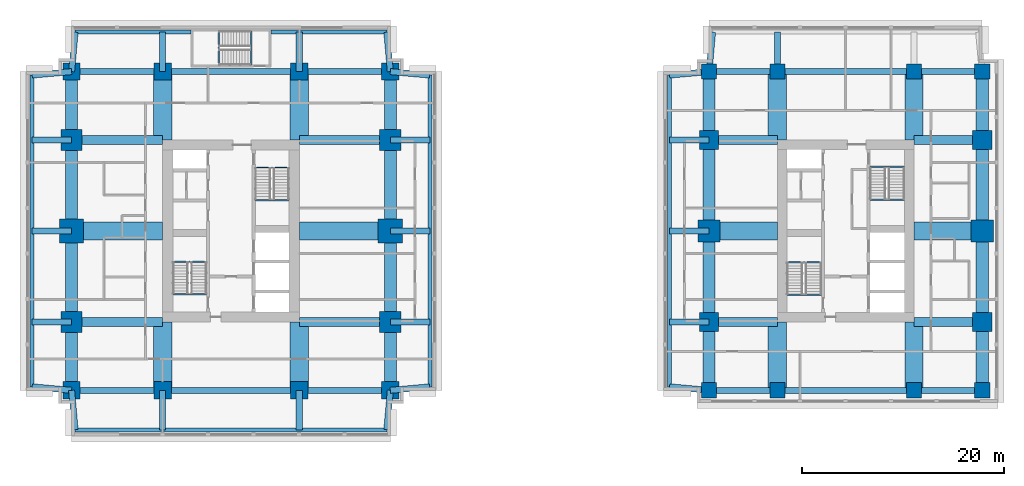
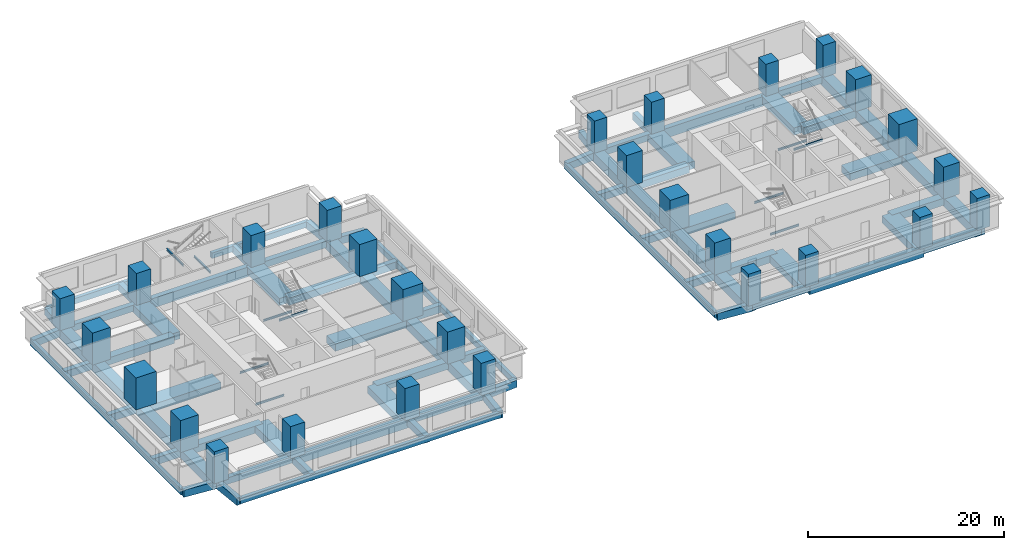
# One storey, part 1 of 10: 89 beams, 28 columns.
"""IFC4 building model written with IfcOpenShell, lengths in metres."""

from ifc_helpers import new_model, si_unit, direction, frame, origin, origin_2d, place, context, subcontext, project, spatial, rectangle, i_section, extrude, material, material_profile, profile_set, type_object, element, save


model = new_model("IFC4")

# Units and contexts
model_context = context("Model", 3, precision=1e-05, world=origin(), true_north=direction((0.0, 1.0)))
body_context = subcontext(model_context, "Body", "Model", "MODEL_VIEW")
ifc_project = project(units=[si_unit("LENGTHUNIT", "METRE"), si_unit("AREAUNIT", "SQUARE_METRE"), si_unit("VOLUMEUNIT", "CUBIC_METRE"), si_unit("PLANEANGLEUNIT", "RADIAN"), si_unit("MASSUNIT", "GRAM", prefix="KILO")], contexts=[model_context])

# Site, building, storey
site_placement = place(None, origin())
site = spatial("IfcSite", under=ifc_project, at=site_placement, CompositionType="ELEMENT")
building_placement = place(site_placement, origin())
building = spatial("IfcBuilding", under=site, at=building_placement, Name="Namib Vertical Campus", CompositionType="ELEMENT")
storey_placement = place(building_placement, frame((0.0, 0.0, 157.0)))
storey = spatial("IfcBuildingStorey", under=building, at=storey_placement, Name="L37", CompositionType="ELEMENT", Elevation=157.0)

# Columns
ifc_material_1 = material(Name="Concrete C60/75", Category="concrete")
ifc_material_profile_1 = material_profile(ifc_material_1, rectangle(XDim=1.5, YDim=1.5, at=origin_2d()))
ifc_profile_set_1 = profile_set([ifc_material_profile_1], Name="Concrete C60/75")
column_type_1 = type_object("IfcColumnType", Name="Column RC 1500x1500", PredefinedType="COLUMN", material=ifc_profile_set_1)
for number, where, z_axis, x_axis, name in (
    (1, (67.5, 4.5, 0.0), (0.0, 0.0, 1.0), (1.0, 0.0, 0.0), "Column C150 L37"),
    (2, (74.25, 4.5, 0.0), (0.0, 0.0, 1.0), (1.0, 0.0, 0.0), "Column C150 L37"),
    (3, (87.75, 4.5, 0.0), (0.0, 0.0, 1.0), (1.0, 0.0, 0.0), "Column C150 L37"),
    (4, (94.5, 4.5, 0.0), (0.0, 0.0, 1.0), (1.0, 0.0, 0.0), "Column C150 L37"),
    (5, (67.5, 36.0, 0.0), (0.0, 0.0, 1.0), (1.0, 0.0, 0.0), "Column C150 L37"),
    (6, (74.25, 36.0, 0.0), (0.0, 0.0, 1.0), (1.0, 0.0, 0.0), "Column C150 L37"),
    (7, (87.75, 36.0, 0.0), (0.0, 0.0, 1.0), (1.0, 0.0, 0.0), "Column C150 L37"),
    (8, (94.5, 36.0, 0.0), (0.0, 0.0, 1.0), (1.0, 0.0, 0.0), "Column C150 L37"),
):
    element("IfcColumn", number, at=place(storey_placement, frame(where, z_axis=z_axis, x_axis=x_axis)), inside=storey, type_object=column_type_1, Name=name, PredefinedType="COLUMN", context=body_context, shape_type="SweptSolid", body=[
        extrude(rectangle(XDim=1.5, YDim=1.5, at=origin_2d()), origin(), (0.0, 0.0, 1.0), 4.0),
    ])
ifc_material_2 = material(Name="Concrete C60/75", Category="concrete")
ifc_material_profile_2 = material_profile(ifc_material_2, rectangle(XDim=1.699951171875, YDim=1.699951171875, at=origin_2d()))
ifc_profile_set_2 = profile_set([ifc_material_profile_2], Name="Concrete C60/75")
column_type_2 = type_object("IfcColumnType", Name="Column RC 1700x1700", PredefinedType="COLUMN", material=ifc_profile_set_2)
for number, where, z_axis, x_axis, name in (
    (9, (4.5, 4.5, 0.0), (0.0, 0.0, 1.0), (1.0, 0.0, 0.0), "Column C170 L37"),
    (10, (13.5, 4.5, 0.0), (0.0, 0.0, 1.0), (1.0, 0.0, 0.0), "Column C170 L37"),
    (11, (27.0, 4.5, 0.0), (0.0, 0.0, 1.0), (1.0, 0.0, 0.0), "Column C170 L37"),
    (12, (36.0, 4.5, 0.0), (0.0, 0.0, 1.0), (1.0, 0.0, 0.0), "Column C170 L37"),
    (13, (4.5, 36.0, 0.0), (0.0, 0.0, 1.0), (1.0, 0.0, 0.0), "Column C170 L37"),
    (14, (13.5, 36.0, 0.0), (0.0, 0.0, 1.0), (1.0, 0.0, 0.0), "Column C170 L37"),
    (15, (27.0, 36.0, 0.0), (0.0, 0.0, 1.0), (1.0, 0.0, 0.0), "Column C170 L37"),
    (16, (36.0, 36.0, 0.0), (0.0, 0.0, 1.0), (1.0, 0.0, 0.0), "Column C170 L37"),
):
    element("IfcColumn", number, at=place(storey_placement, frame(where, z_axis=z_axis, x_axis=x_axis)), inside=storey, type_object=column_type_2, Name=name, PredefinedType="COLUMN", context=body_context, shape_type="SweptSolid", body=[
        extrude(rectangle(XDim=1.699951171875, YDim=1.699951171875, at=origin_2d()), origin(), (0.0, 0.0, 1.0), 4.0),
    ])
ifc_material_3 = material(Name="Concrete C60/75", Category="concrete")
ifc_material_profile_3 = material_profile(ifc_material_3, rectangle(XDim=1.89990234375, YDim=1.89990234375, at=origin_2d()))
ifc_profile_set_3 = profile_set([ifc_material_profile_3], Name="Concrete C60/75")
column_type_3 = type_object("IfcColumnType", Name="Column RC 1900x1900", PredefinedType="COLUMN", material=ifc_profile_set_3)
for number, where, z_axis, x_axis, name in (
    (17, (67.5, 11.25, 0.0), (0.0, 0.0, 1.0), (1.0, 0.0, 0.0), "Column C190 L37"),
    (18, (94.5, 11.25, 0.0), (0.0, 0.0, 1.0), (1.0, 0.0, 0.0), "Column C190 L37"),
    (19, (67.5, 29.25, 0.0), (0.0, 0.0, 1.0), (1.0, 0.0, 0.0), "Column C190 L37"),
    (20, (94.5, 29.25, 0.0), (0.0, 0.0, 1.0), (1.0, 0.0, 0.0), "Column C190 L37"),
):
    element("IfcColumn", number, at=place(storey_placement, frame(where, z_axis=z_axis, x_axis=x_axis)), inside=storey, type_object=column_type_3, Name=name, PredefinedType="COLUMN", context=body_context, shape_type="SweptSolid", body=[
        extrude(rectangle(XDim=1.89990234375, YDim=1.89990234375, at=origin_2d()), origin(), (0.0, 0.0, 1.0), 4.0),
    ])
ifc_material_4 = material(Name="Concrete C60/75", Category="concrete")
ifc_material_profile_4 = material_profile(ifc_material_4, rectangle(XDim=2.10009765625, YDim=2.10009765625, at=origin_2d()))
ifc_profile_set_4 = profile_set([ifc_material_profile_4], Name="Concrete C60/75")
column_type_4 = type_object("IfcColumnType", Name="Column RC 2100x2100", PredefinedType="COLUMN", material=ifc_profile_set_4)
for number, where, z_axis, x_axis, name in (
    (21, (4.5, 11.25, 0.0), (0.0, 0.0, 1.0), (1.0, 0.0, 0.0), "Column C210 L37"),
    (22, (36.0, 11.25, 0.0), (0.0, 0.0, 1.0), (1.0, 0.0, 0.0), "Column C210 L37"),
    (23, (4.5, 29.25, 0.0), (0.0, 0.0, 1.0), (1.0, 0.0, 0.0), "Column C210 L37"),
    (24, (36.0, 29.25, 0.0), (0.0, 0.0, 1.0), (1.0, 0.0, 0.0), "Column C210 L37"),
):
    element("IfcColumn", number, at=place(storey_placement, frame(where, z_axis=z_axis, x_axis=x_axis)), inside=storey, type_object=column_type_4, Name=name, PredefinedType="COLUMN", context=body_context, shape_type="SweptSolid", body=[
        extrude(rectangle(XDim=2.10009765625, YDim=2.10009765625, at=origin_2d()), origin(), (0.0, 0.0, 1.0), 4.0),
    ])
ifc_material_5 = material(Name="Concrete C60/75", Category="concrete")
ifc_material_profile_5 = material_profile(ifc_material_5, rectangle(XDim=2.199951171875, YDim=2.199951171875, at=origin_2d()))
ifc_profile_set_5 = profile_set([ifc_material_profile_5], Name="Concrete C60/75")
column_type_5 = type_object("IfcColumnType", Name="Column RC 2200x2200", PredefinedType="COLUMN", material=ifc_profile_set_5)
for number, where, z_axis, x_axis, name in (
    (25, (67.5, 20.25, 0.0), (0.0, 0.0, 1.0), (1.0, 0.0, 0.0), "Column C220 L37"),
    (26, (94.5, 20.25, 0.0), (0.0, 0.0, 1.0), (1.0, 0.0, 0.0), "Column C220 L37"),
):
    element("IfcColumn", number, at=place(storey_placement, frame(where, z_axis=z_axis, x_axis=x_axis)), inside=storey, type_object=column_type_5, Name=name, PredefinedType="COLUMN", context=body_context, shape_type="SweptSolid", body=[
        extrude(rectangle(XDim=2.199951171875, YDim=2.199951171875, at=origin_2d()), origin(), (0.0, 0.0, 1.0), 4.0),
    ])
ifc_material_6 = material(Name="Concrete C60/75", Category="concrete")
ifc_material_profile_6 = material_profile(ifc_material_6, rectangle(XDim=2.39990234375, YDim=2.39990234375, at=origin_2d()))
ifc_profile_set_6 = profile_set([ifc_material_profile_6], Name="Concrete C60/75")
column_type_6 = type_object("IfcColumnType", Name="Column RC 2400x2400", PredefinedType="COLUMN", material=ifc_profile_set_6)
for number, where, z_axis, x_axis, name in (
    (27, (4.5, 20.25, 0.0), (0.0, 0.0, 1.0), (1.0, 0.0, 0.0), "Column C240 L37"),
    (28, (36.0, 20.25, 0.0), (0.0, 0.0, 1.0), (1.0, 0.0, 0.0), "Column C240 L37"),
):
    element("IfcColumn", number, at=place(storey_placement, frame(where, z_axis=z_axis, x_axis=x_axis)), inside=storey, type_object=column_type_6, Name=name, PredefinedType="COLUMN", context=body_context, shape_type="SweptSolid", body=[
        extrude(rectangle(XDim=2.39990234375, YDim=2.39990234375, at=origin_2d()), origin(), (0.0, 0.0, 1.0), 4.0),
    ])

# Beams
ifc_material_7 = material(Name="Concrete C40/50", Category="concrete")
ifc_material_profile_7 = material_profile(ifc_material_7, rectangle(XDim=0.60009765625, YDim=0.89990234375, at=origin_2d()))
ifc_profile_set_7 = profile_set([ifc_material_profile_7], Name="Concrete C40/50")
beam_type_1 = type_object("IfcBeamType", Name="Cantilever girder RC 600x900", PredefinedType="BEAM", material=ifc_profile_set_7)
beam_1_placement = place(storey_placement, frame((4.5, 4.5, -0.699951171875), z_axis=(0.089411326146, -0.995994786511, 0.0), x_axis=(0.995994786511, 0.089411326146, 0.0)))
element("IfcBeam", 29, at=beam_1_placement, inside=storey, type_object=beam_type_1, Name="Beam B3 L37", PredefinedType="BEAM", context=body_context, shape_type="SweptSolid", body=[
    extrude(rectangle(XDim=0.60009765625, YDim=0.89990234375, at=origin_2d()), origin(), (0.0, 0.0, 1.0), 3.91552734375),
])
for number, where, z_axis, x_axis, name in (
    (30, (13.5, 4.5, -0.699951171875), (0.0, -1.0, 0.0), (1.0, 0.0, 0.0), "Beam B3 L37"),
    (31, (27.0, 4.5, -0.699951171875), (0.0, -1.0, 0.0), (1.0, 0.0, 0.0), "Beam B3 L37"),
):
    element("IfcBeam", number, at=place(storey_placement, frame(where, z_axis=z_axis, x_axis=x_axis)), inside=storey, type_object=beam_type_1, Name=name, PredefinedType="BEAM", context=body_context, shape_type="SweptSolid", body=[
        extrude(rectangle(XDim=0.60009765625, YDim=0.89990234375, at=origin_2d()), origin(), (0.0, 0.0, 1.0), 3.89990234375),
    ])
for number, where, z_axis, x_axis, name in (
    (32, (36.0, 4.5, -0.699951171875), (-0.089411326146, -0.995994786511, 0.0), (0.995994786511, -0.089411326146, 0.0), "Beam B3 L37"),
    (33, (4.5, 36.0, -0.699951171875), (0.089411326146, 0.995994786511, 0.0), (-0.995994786511, 0.089411326146, 0.0), "Beam B3 L37"),
):
    element("IfcBeam", number, at=place(storey_placement, frame(where, z_axis=z_axis, x_axis=x_axis)), inside=storey, type_object=beam_type_1, Name=name, PredefinedType="BEAM", context=body_context, shape_type="SweptSolid", body=[
        extrude(rectangle(XDim=0.60009765625, YDim=0.89990234375, at=origin_2d()), origin(), (0.0, 0.0, 1.0), 3.91552734375),
    ])
for number, where, z_axis, x_axis, name in (
    (34, (13.5, 36.0, -0.699951171875), (0.0, 1.0, 0.0), (-1.0, 0.0, 0.0), "Beam B3 L37"),
    (35, (27.0, 36.0, -0.699951171875), (0.0, 1.0, 0.0), (-1.0, 0.0, 0.0), "Beam B3 L37"),
):
    element("IfcBeam", number, at=place(storey_placement, frame(where, z_axis=z_axis, x_axis=x_axis)), inside=storey, type_object=beam_type_1, Name=name, PredefinedType="BEAM", context=body_context, shape_type="SweptSolid", body=[
        extrude(rectangle(XDim=0.60009765625, YDim=0.89990234375, at=origin_2d()), origin(), (0.0, 0.0, 1.0), 3.89990234375),
    ])
for number, where, z_axis, x_axis, name in (
    (36, (36.0, 36.0, -0.699951171875), (-0.089411326146, 0.995994786511, 0.0), (-0.995994786511, -0.089411326146, 0.0), "Beam B3 L37"),
    (37, (4.5, 4.5, -0.699951171875), (-0.995994786511, 0.089411326146, 0.0), (-0.089411326146, -0.995994786511, 0.0), "Beam B3 L37"),
):
    element("IfcBeam", number, at=place(storey_placement, frame(where, z_axis=z_axis, x_axis=x_axis)), inside=storey, type_object=beam_type_1, Name=name, PredefinedType="BEAM", context=body_context, shape_type="SweptSolid", body=[
        extrude(rectangle(XDim=0.60009765625, YDim=0.89990234375, at=origin_2d()), origin(), (0.0, 0.0, 1.0), 3.91552734375),
    ])
for number, where, z_axis, x_axis, name in (
    (38, (4.5, 11.25, -0.699951171875), (-1.0, 0.0, 0.0), (0.0, -1.0, 0.0), "Beam B3 L37"),
    (39, (4.5, 20.25, -0.699951171875), (-1.0, 0.0, 0.0), (0.0, -1.0, 0.0), "Beam B3 L37"),
    (40, (4.5, 29.25, -0.699951171875), (-1.0, 0.0, 0.0), (0.0, -1.0, 0.0), "Beam B3 L37"),
):
    element("IfcBeam", number, at=place(storey_placement, frame(where, z_axis=z_axis, x_axis=x_axis)), inside=storey, type_object=beam_type_1, Name=name, PredefinedType="BEAM", context=body_context, shape_type="SweptSolid", body=[
        extrude(rectangle(XDim=0.60009765625, YDim=0.89990234375, at=origin_2d()), origin(), (0.0, 0.0, 1.0), 3.89990234375),
    ])
for number, where, z_axis, x_axis, name in (
    (41, (4.5, 36.0, -0.699951171875), (-0.995994786511, -0.089411326146, 0.0), (0.089411326146, -0.995994786511, 0.0), "Beam B3 L37"),
    (42, (36.0, 4.5, -0.699951171875), (0.995994786511, 0.089411326146, 0.0), (-0.089411326146, 0.995994786511, 0.0), "Beam B3 L37"),
):
    element("IfcBeam", number, at=place(storey_placement, frame(where, z_axis=z_axis, x_axis=x_axis)), inside=storey, type_object=beam_type_1, Name=name, PredefinedType="BEAM", context=body_context, shape_type="SweptSolid", body=[
        extrude(rectangle(XDim=0.60009765625, YDim=0.89990234375, at=origin_2d()), origin(), (0.0, 0.0, 1.0), 3.91552734375),
    ])
for number, where, z_axis, x_axis, name in (
    (43, (36.0, 11.25, -0.699951171875), (1.0, 0.0, 0.0), (0.0, 1.0, 0.0), "Beam B3 L37"),
    (44, (36.0, 20.25, -0.699951171875), (1.0, 0.0, 0.0), (0.0, 1.0, 0.0), "Beam B3 L37"),
    (45, (36.0, 29.25, -0.699951171875), (1.0, 0.0, 0.0), (0.0, 1.0, 0.0), "Beam B3 L37"),
):
    element("IfcBeam", number, at=place(storey_placement, frame(where, z_axis=z_axis, x_axis=x_axis)), inside=storey, type_object=beam_type_1, Name=name, PredefinedType="BEAM", context=body_context, shape_type="SweptSolid", body=[
        extrude(rectangle(XDim=0.60009765625, YDim=0.89990234375, at=origin_2d()), origin(), (0.0, 0.0, 1.0), 3.89990234375),
    ])
for number, where, z_axis, x_axis, name in (
    (46, (36.0, 36.0, -0.699951171875), (0.995994786511, -0.089411326146, 0.0), (0.089411326146, 0.995994786511, 0.0), "Beam B3 L37"),
    (47, (67.5, 36.0, -0.699951171875), (0.089411326146, 0.995994786511, 0.0), (-0.995994786511, 0.089411326146, 0.0), "Beam B3 L37"),
):
    element("IfcBeam", number, at=place(storey_placement, frame(where, z_axis=z_axis, x_axis=x_axis)), inside=storey, type_object=beam_type_1, Name=name, PredefinedType="BEAM", context=body_context, shape_type="SweptSolid", body=[
        extrude(rectangle(XDim=0.60009765625, YDim=0.89990234375, at=origin_2d()), origin(), (0.0, 0.0, 1.0), 3.91552734375),
    ])
beam_2_placement = place(storey_placement, frame((74.25, 36.0, -0.699951171875), z_axis=(0.0, 1.0, 0.0), x_axis=(-1.0, 0.0, 0.0)))
element("IfcBeam", 48, at=beam_2_placement, inside=storey, type_object=beam_type_1, Name="Beam B3 L37", PredefinedType="BEAM", context=body_context, shape_type="SweptSolid", body=[
    extrude(rectangle(XDim=0.60009765625, YDim=0.89990234375, at=origin_2d()), origin(), (0.0, 0.0, 1.0), 3.89990234375),
])
beam_3_placement = place(storey_placement, frame((67.5, 4.5, -0.699951171875), z_axis=(-0.995994786511, 0.089411326146, 0.0), x_axis=(-0.089411326146, -0.995994786511, 0.0)))
element("IfcBeam", 49, at=beam_3_placement, inside=storey, type_object=beam_type_1, Name="Beam B3 L37", PredefinedType="BEAM", context=body_context, shape_type="SweptSolid", body=[
    extrude(rectangle(XDim=0.60009765625, YDim=0.89990234375, at=origin_2d()), origin(), (0.0, 0.0, 1.0), 3.91552734375),
])
for number, where, z_axis, x_axis, name in (
    (50, (67.5, 11.25, -0.699951171875), (-1.0, 0.0, 0.0), (0.0, -1.0, 0.0), "Beam B3 L37"),
    (51, (67.5, 20.25, -0.699951171875), (-1.0, 0.0, 0.0), (0.0, -1.0, 0.0), "Beam B3 L37"),
    (52, (67.5, 29.25, -0.699951171875), (-1.0, 0.0, 0.0), (0.0, -1.0, 0.0), "Beam B3 L37"),
):
    element("IfcBeam", number, at=place(storey_placement, frame(where, z_axis=z_axis, x_axis=x_axis)), inside=storey, type_object=beam_type_1, Name=name, PredefinedType="BEAM", context=body_context, shape_type="SweptSolid", body=[
        extrude(rectangle(XDim=0.60009765625, YDim=0.89990234375, at=origin_2d()), origin(), (0.0, 0.0, 1.0), 3.89990234375),
    ])
beam_4_placement = place(storey_placement, frame((67.5, 36.0, -0.699951171875), z_axis=(-0.995994786511, -0.089411326146, 0.0), x_axis=(0.089411326146, -0.995994786511, 0.0)))
element("IfcBeam", 53, at=beam_4_placement, inside=storey, type_object=beam_type_1, Name="Beam B3 L37", PredefinedType="BEAM", context=body_context, shape_type="SweptSolid", body=[
    extrude(rectangle(XDim=0.60009765625, YDim=0.89990234375, at=origin_2d()), origin(), (0.0, 0.0, 1.0), 3.91552734375),
])
ifc_material_8 = material(Name="Concrete C40/50", Category="concrete")
ifc_material_profile_8 = material_profile(ifc_material_8, rectangle(XDim=0.39990234375, YDim=0.699951171875, at=origin_2d()))
ifc_profile_set_8 = profile_set([ifc_material_profile_8], Name="Concrete C40/50")
beam_type_2 = type_object("IfcBeamType", Name="Edge beam RC 400x700", PredefinedType="SPANDREL", material=ifc_profile_set_8)
beam_5_placement = place(storey_placement, frame((4.85009765625, 0.60009765625, -0.60009765625), z_axis=(1.0, 0.0, 0.0), x_axis=(0.0, 1.0, 0.0)))
element("IfcBeam", 54, at=beam_5_placement, inside=storey, type_object=beam_type_2, Name="Beam B4 L37", PredefinedType="SPANDREL", context=body_context, shape_type="SweptSolid", body=[
    extrude(rectangle(XDim=0.39990234375, YDim=0.699951171875, at=origin_2d()), origin(), (0.0, 0.0, 1.0), 30.7998046875),
])
for number, where, z_axis, x_axis, name in (
    (55, (4.85009765625, 39.89990234375, -0.60009765625), (1.0, 0.0, 0.0), (0.0, 1.0, 0.0), "Beam B4 L37"),
    (56, (24.199951171875, 39.89990234375, -0.60009765625), (1.0, 0.0, 0.0), (0.0, 1.0, 0.0), "Beam B4 L37"),
):
    element("IfcBeam", number, at=place(storey_placement, frame(where, z_axis=z_axis, x_axis=x_axis)), inside=storey, type_object=beam_type_2, Name=name, PredefinedType="SPANDREL", context=body_context, shape_type="SweptSolid", body=[
        extrude(rectangle(XDim=0.39990234375, YDim=0.699951171875, at=origin_2d()), origin(), (0.0, 0.0, 1.0), 11.449951171875),
    ])
for number, where, z_axis, x_axis, name in (
    (57, (0.60009765625, 4.85009765625, -0.60009765625), (0.0, 1.0, 0.0), (-1.0, 0.0, 0.0), "Beam B4 L37"),
    (58, (39.89990234375, 4.85009765625, -0.60009765625), (0.0, 1.0, 0.0), (-1.0, 0.0, 0.0), "Beam B4 L37"),
    (59, (63.60009765625, 4.85009765625, -0.60009765625), (0.0, 1.0, 0.0), (-1.0, 0.0, 0.0), "Beam B4 L37"),
):
    element("IfcBeam", number, at=place(storey_placement, frame(where, z_axis=z_axis, x_axis=x_axis)), inside=storey, type_object=beam_type_2, Name=name, PredefinedType="SPANDREL", context=body_context, shape_type="SweptSolid", body=[
        extrude(rectangle(XDim=0.39990234375, YDim=0.699951171875, at=origin_2d()), origin(), (0.0, 0.0, 1.0), 30.7998046875),
    ])
ifc_material_9 = material(Name="Concrete C40/50", Category="concrete")
ifc_material_profile_9 = material_profile(ifc_material_9, rectangle(XDim=0.89990234375, YDim=0.89990234375, at=origin_2d()))
ifc_profile_set_9 = profile_set([ifc_material_profile_9], Name="Concrete C40/50")
beam_type_3 = type_object("IfcBeamType", Name="Face girder RC 900x900", PredefinedType="BEAM", material=ifc_profile_set_9)
for number, where, z_axis, x_axis, name in (
    (60, (4.5, 11.25, -0.699951171875), (1.0, 0.0, 0.0), (0.0, 1.0, 0.0), "Beam B10 L37"),
    (61, (36.0, 11.25, -0.699951171875), (-1.0, 0.0, 0.0), (0.0, -1.0, 0.0), "Beam B10 L37"),
    (62, (4.5, 29.25, -0.699951171875), (1.0, 0.0, 0.0), (0.0, 1.0, 0.0), "Beam B10 L37"),
    (63, (36.0, 29.25, -0.699951171875), (-1.0, 0.0, 0.0), (0.0, -1.0, 0.0), "Beam B10 L37"),
):
    element("IfcBeam", number, at=place(storey_placement, frame(where, z_axis=z_axis, x_axis=x_axis)), inside=storey, type_object=beam_type_3, Name=name, PredefinedType="BEAM", context=body_context, shape_type="SweptSolid", body=[
        extrude(rectangle(XDim=0.89990234375, YDim=0.89990234375, at=origin_2d()), origin(), (0.0, 0.0, 1.0), 9.0),
    ])
for number, where, z_axis, x_axis, name in (
    (64, (67.5, 11.25, -0.699951171875), (1.0, 0.0, 0.0), (0.0, 1.0, 0.0), "Beam B10 L37"),
    (65, (94.5, 11.25, -0.699951171875), (-1.0, 0.0, 0.0), (0.0, -1.0, 0.0), "Beam B10 L37"),
    (66, (67.5, 29.25, -0.699951171875), (1.0, 0.0, 0.0), (0.0, 1.0, 0.0), "Beam B10 L37"),
    (67, (94.5, 29.25, -0.699951171875), (-1.0, 0.0, 0.0), (0.0, -1.0, 0.0), "Beam B10 L37"),
):
    element("IfcBeam", number, at=place(storey_placement, frame(where, z_axis=z_axis, x_axis=x_axis)), inside=storey, type_object=beam_type_3, Name=name, PredefinedType="BEAM", context=body_context, shape_type="SweptSolid", body=[
        extrude(rectangle(XDim=0.89990234375, YDim=0.89990234375, at=origin_2d()), origin(), (0.0, 0.0, 1.0), 6.75),
    ])
ifc_material_10 = material(Name="Concrete C40/50", Category="concrete")
ifc_material_profile_10 = material_profile(ifc_material_10, rectangle(XDim=1.199951171875, YDim=1.10009765625, at=origin_2d()))
ifc_profile_set_10 = profile_set([ifc_material_profile_10], Name="Concrete C40/50")
beam_type_4 = type_object("IfcBeamType", Name="Face ring beam RC 1200x1100", PredefinedType="BEAM", material=ifc_profile_set_10)
beam_6_placement = place(storey_placement, frame((4.5, 4.5, -0.800048828125), z_axis=(0.0, 1.0, 0.0), x_axis=(-1.0, 0.0, 0.0)))
element("IfcBeam", 68, at=beam_6_placement, inside=storey, type_object=beam_type_4, Name="Beam B11 L37", PredefinedType="BEAM", context=body_context, shape_type="SweptSolid", body=[
    extrude(rectangle(XDim=1.199951171875, YDim=1.10009765625, at=origin_2d()), origin(), (0.0, 0.0, 1.0), 6.75),
])
for number, where, z_axis, x_axis, name in (
    (69, (4.5, 11.25, -0.800048828125), (0.0, 1.0, 0.0), (-1.0, 0.0, 0.0), "Beam B11 L37"),
    (70, (4.5, 20.25, -0.800048828125), (0.0, 1.0, 0.0), (-1.0, 0.0, 0.0), "Beam B11 L37"),
):
    element("IfcBeam", number, at=place(storey_placement, frame(where, z_axis=z_axis, x_axis=x_axis)), inside=storey, type_object=beam_type_4, Name=name, PredefinedType="BEAM", context=body_context, shape_type="SweptSolid", body=[
        extrude(rectangle(XDim=1.199951171875, YDim=1.10009765625, at=origin_2d()), origin(), (0.0, 0.0, 1.0), 9.0),
    ])
for number, where, z_axis, x_axis, name in (
    (71, (4.5, 29.25, -0.800048828125), (0.0, 1.0, 0.0), (-1.0, 0.0, 0.0), "Beam B11 L37"),
    (72, (36.0, 4.5, -0.800048828125), (0.0, 1.0, 0.0), (-1.0, 0.0, 0.0), "Beam B11 L37"),
):
    element("IfcBeam", number, at=place(storey_placement, frame(where, z_axis=z_axis, x_axis=x_axis)), inside=storey, type_object=beam_type_4, Name=name, PredefinedType="BEAM", context=body_context, shape_type="SweptSolid", body=[
        extrude(rectangle(XDim=1.199951171875, YDim=1.10009765625, at=origin_2d()), origin(), (0.0, 0.0, 1.0), 6.75),
    ])
for number, where, z_axis, x_axis, name in (
    (73, (36.0, 11.25, -0.800048828125), (0.0, 1.0, 0.0), (-1.0, 0.0, 0.0), "Beam B11 L37"),
    (74, (36.0, 20.25, -0.800048828125), (0.0, 1.0, 0.0), (-1.0, 0.0, 0.0), "Beam B11 L37"),
):
    element("IfcBeam", number, at=place(storey_placement, frame(where, z_axis=z_axis, x_axis=x_axis)), inside=storey, type_object=beam_type_4, Name=name, PredefinedType="BEAM", context=body_context, shape_type="SweptSolid", body=[
        extrude(rectangle(XDim=1.199951171875, YDim=1.10009765625, at=origin_2d()), origin(), (0.0, 0.0, 1.0), 9.0),
    ])
for number, where, z_axis, x_axis, name in (
    (75, (36.0, 29.25, -0.800048828125), (0.0, 1.0, 0.0), (-1.0, 0.0, 0.0), "Beam B11 L37"),
    (76, (67.5, 4.5, -0.800048828125), (0.0, 1.0, 0.0), (-1.0, 0.0, 0.0), "Beam B11 L37"),
):
    element("IfcBeam", number, at=place(storey_placement, frame(where, z_axis=z_axis, x_axis=x_axis)), inside=storey, type_object=beam_type_4, Name=name, PredefinedType="BEAM", context=body_context, shape_type="SweptSolid", body=[
        extrude(rectangle(XDim=1.199951171875, YDim=1.10009765625, at=origin_2d()), origin(), (0.0, 0.0, 1.0), 6.75),
    ])
for number, where, z_axis, x_axis, name in (
    (77, (67.5, 11.25, -0.800048828125), (0.0, 1.0, 0.0), (-1.0, 0.0, 0.0), "Beam B11 L37"),
    (78, (67.5, 20.25, -0.800048828125), (0.0, 1.0, 0.0), (-1.0, 0.0, 0.0), "Beam B11 L37"),
):
    element("IfcBeam", number, at=place(storey_placement, frame(where, z_axis=z_axis, x_axis=x_axis)), inside=storey, type_object=beam_type_4, Name=name, PredefinedType="BEAM", context=body_context, shape_type="SweptSolid", body=[
        extrude(rectangle(XDim=1.199951171875, YDim=1.10009765625, at=origin_2d()), origin(), (0.0, 0.0, 1.0), 9.0),
    ])
for number, where, z_axis, x_axis, name in (
    (79, (67.5, 29.25, -0.800048828125), (0.0, 1.0, 0.0), (-1.0, 0.0, 0.0), "Beam B11 L37"),
    (80, (94.5, 4.5, -0.800048828125), (0.0, 1.0, 0.0), (-1.0, 0.0, 0.0), "Beam B11 L37"),
):
    element("IfcBeam", number, at=place(storey_placement, frame(where, z_axis=z_axis, x_axis=x_axis)), inside=storey, type_object=beam_type_4, Name=name, PredefinedType="BEAM", context=body_context, shape_type="SweptSolid", body=[
        extrude(rectangle(XDim=1.199951171875, YDim=1.10009765625, at=origin_2d()), origin(), (0.0, 0.0, 1.0), 6.75),
    ])
for number, where, z_axis, x_axis, name in (
    (81, (94.5, 11.25, -0.800048828125), (0.0, 1.0, 0.0), (-1.0, 0.0, 0.0), "Beam B11 L37"),
    (82, (94.5, 20.25, -0.800048828125), (0.0, 1.0, 0.0), (-1.0, 0.0, 0.0), "Beam B11 L37"),
):
    element("IfcBeam", number, at=place(storey_placement, frame(where, z_axis=z_axis, x_axis=x_axis)), inside=storey, type_object=beam_type_4, Name=name, PredefinedType="BEAM", context=body_context, shape_type="SweptSolid", body=[
        extrude(rectangle(XDim=1.199951171875, YDim=1.10009765625, at=origin_2d()), origin(), (0.0, 0.0, 1.0), 9.0),
    ])
beam_7_placement = place(storey_placement, frame((94.5, 29.25, -0.800048828125), z_axis=(0.0, 1.0, 0.0), x_axis=(-1.0, 0.0, 0.0)))
element("IfcBeam", 83, at=beam_7_placement, inside=storey, type_object=beam_type_4, Name="Beam B11 L37", PredefinedType="BEAM", context=body_context, shape_type="SweptSolid", body=[
    extrude(rectangle(XDim=1.199951171875, YDim=1.10009765625, at=origin_2d()), origin(), (0.0, 0.0, 1.0), 6.75),
])
ifc_material_11 = material(Name="Steel S355JR", Category="steel")
ifc_material_profile_11 = material_profile(ifc_material_11, i_section(OverallWidth=0.14599609375, OverallDepth=0.25146484375, WebThickness=0.006103515625, FlangeThickness=0.008544921875, FilletRadius=0.007568359375, at=origin_2d()))
ifc_profile_set_11 = profile_set([ifc_material_profile_11], Name="Steel S355JR")
beam_type_5 = type_object("IfcBeamType", Name="Landing trimmer UB 254x146x31", PredefinedType="BEAM", material=ifc_profile_set_11)
for number, where, z_axis, x_axis, name in (
    (84, (14.5, 13.97705078125, -0.125732421875), (1.0, 0.0, 0.0), (0.0, 1.0, 0.0), "Landing trimmer LT1 A-S1 L37 1"),
    (85, (14.5, 17.203125, 1.874267578125), (1.0, 0.0, 0.0), (0.0, 1.0, 0.0), "Landing trimmer LT1 A-S1 L37 2"),
    (86, (22.64990234375, 26.52294921875, -0.125732421875), (1.0, 0.0, 0.0), (0.0, 1.0, 0.0), "Landing trimmer LT1 A-S2 L37 1"),
    (87, (22.64990234375, 23.296875, 1.874267578125), (1.0, 0.0, 0.0), (0.0, 1.0, 0.0), "Landing trimmer LT1 A-S2 L37 2"),
):
    element("IfcBeam", number, at=place(storey_placement, frame(where, z_axis=z_axis, x_axis=x_axis)), inside=storey, type_object=beam_type_5, Name=name, PredefinedType="BEAM", context=body_context, shape_type="SweptSolid", body=[
        extrude(i_section(OverallWidth=0.14599609375, OverallDepth=0.25146484375, WebThickness=0.006103515625, FlangeThickness=0.008544921875, FilletRadius=0.007568359375, at=origin_2d()), origin(), (0.0, 0.0, 1.0), 3.35009765625),
    ])
for number, where, z_axis, x_axis, name in (
    (88, (75.199951171875, 13.927001953125, -0.125732421875), (1.0, 0.0, 0.0), (0.0, 1.0, 0.0), "Landing trimmer LT1 B-S1 L37 1"),
    (89, (75.199951171875, 17.153076171875, 1.874267578125), (1.0, 0.0, 0.0), (0.0, 1.0, 0.0), "Landing trimmer LT1 B-S1 L37 2"),
    (90, (83.39990234375, 26.572998046875, -0.125732421875), (1.0, 0.0, 0.0), (0.0, 1.0, 0.0), "Landing trimmer LT1 B-S2 L37 1"),
    (91, (83.39990234375, 23.346923828125, 1.874267578125), (1.0, 0.0, 0.0), (0.0, 1.0, 0.0), "Landing trimmer LT1 B-S2 L37 2"),
):
    element("IfcBeam", number, at=place(storey_placement, frame(where, z_axis=z_axis, x_axis=x_axis)), inside=storey, type_object=beam_type_5, Name=name, PredefinedType="BEAM", context=body_context, shape_type="SweptSolid", body=[
        extrude(i_section(OverallWidth=0.14599609375, OverallDepth=0.25146484375, WebThickness=0.006103515625, FlangeThickness=0.008544921875, FilletRadius=0.007568359375, at=origin_2d()), origin(), (0.0, 0.0, 1.0), 3.400146484375),
    ])
for number, where, z_axis, x_axis, name in (
    (92, (22.27294921875, 36.64990234375, -0.125732421875), (0.0, 1.0, 0.0), (-1.0, 0.0, 0.0), "Landing trimmer LT1 A-S3 L37 1"),
    (93, (19.046875, 36.64990234375, 1.874267578125), (0.0, 1.0, 0.0), (-1.0, 0.0, 0.0), "Landing trimmer LT1 A-S3 L37 2"),
):
    element("IfcBeam", number, at=place(storey_placement, frame(where, z_axis=z_axis, x_axis=x_axis)), inside=storey, type_object=beam_type_5, Name=name, PredefinedType="BEAM", context=body_context, shape_type="SweptSolid", body=[
        extrude(i_section(OverallWidth=0.14599609375, OverallDepth=0.25146484375, WebThickness=0.006103515625, FlangeThickness=0.008544921875, FilletRadius=0.007568359375, at=origin_2d()), origin(), (0.0, 0.0, 1.0), 3.35009765625),
    ])
ifc_material_12 = material(Name="Concrete C40/50", Category="concrete")
ifc_material_profile_12 = material_profile(ifc_material_12, rectangle(XDim=0.60009765625, YDim=1.199951171875, at=origin_2d()))
ifc_profile_set_12 = profile_set([ifc_material_profile_12], Name="Concrete C40/50")
beam_type_6 = type_object("IfcBeamType", Name="Long-span ring beam RC 600x1200", PredefinedType="BEAM", material=ifc_profile_set_12)
for number, where, z_axis, x_axis, name in (
    (94, (13.5, 4.5, -0.85009765625), (1.0, 0.0, 0.0), (0.0, 1.0, 0.0), "Beam B9 L37"),
    (95, (13.5, 36.0, -0.85009765625), (1.0, 0.0, 0.0), (0.0, 1.0, 0.0), "Beam B9 L37"),
    (96, (74.25, 4.5, -0.85009765625), (1.0, 0.0, 0.0), (0.0, 1.0, 0.0), "Beam B9 L37"),
    (97, (74.25, 36.0, -0.85009765625), (1.0, 0.0, 0.0), (0.0, 1.0, 0.0), "Beam B9 L37"),
):
    element("IfcBeam", number, at=place(storey_placement, frame(where, z_axis=z_axis, x_axis=x_axis)), inside=storey, type_object=beam_type_6, Name=name, PredefinedType="BEAM", context=body_context, shape_type="SweptSolid", body=[
        extrude(rectangle(XDim=0.60009765625, YDim=1.199951171875, at=origin_2d()), origin(), (0.0, 0.0, 1.0), 13.5),
    ])
ifc_material_13 = material(Name="Concrete C40/50", Category="concrete")
ifc_material_profile_13 = material_profile(ifc_material_13, rectangle(XDim=1.800048828125, YDim=0.89990234375, at=origin_2d()))
ifc_profile_set_13 = profile_set([ifc_material_profile_13], Name="Concrete C40/50")
beam_type_7 = type_object("IfcBeamType", Name="Outrigger line girder RC 1800x900", PredefinedType="BEAM", material=ifc_profile_set_13)
for number, where, z_axis, x_axis, name in (
    (98, (13.5, 4.5, -0.699951171875), (0.0, 1.0, 0.0), (-1.0, 0.0, 0.0), "Beam B12 L37"),
    (99, (13.5, 36.0, -0.699951171875), (0.0, -1.0, 0.0), (1.0, 0.0, 0.0), "Beam B12 L37"),
    (100, (27.0, 4.5, -0.699951171875), (0.0, 1.0, 0.0), (-1.0, 0.0, 0.0), "Beam B12 L37"),
    (101, (27.0, 36.0, -0.699951171875), (0.0, -1.0, 0.0), (1.0, 0.0, 0.0), "Beam B12 L37"),
):
    element("IfcBeam", number, at=place(storey_placement, frame(where, z_axis=z_axis, x_axis=x_axis)), inside=storey, type_object=beam_type_7, Name=name, PredefinedType="BEAM", context=body_context, shape_type="SweptSolid", body=[
        extrude(rectangle(XDim=1.800048828125, YDim=0.89990234375, at=origin_2d()), origin(), (0.0, 0.0, 1.0), 6.75),
    ])
for number, where, z_axis, x_axis, name in (
    (102, (4.5, 20.25, -0.699951171875), (1.0, 0.0, 0.0), (0.0, 1.0, 0.0), "Beam B12 L37"),
    (103, (36.0, 20.25, -0.699951171875), (-1.0, 0.0, 0.0), (0.0, -1.0, 0.0), "Beam B12 L37"),
):
    element("IfcBeam", number, at=place(storey_placement, frame(where, z_axis=z_axis, x_axis=x_axis)), inside=storey, type_object=beam_type_7, Name=name, PredefinedType="BEAM", context=body_context, shape_type="SweptSolid", body=[
        extrude(rectangle(XDim=1.800048828125, YDim=0.89990234375, at=origin_2d()), origin(), (0.0, 0.0, 1.0), 9.0),
    ])
for number, where, z_axis, x_axis, name in (
    (104, (74.25, 4.5, -0.699951171875), (0.0, 1.0, 0.0), (-1.0, 0.0, 0.0), "Beam B12 L37"),
    (105, (74.25, 36.0, -0.699951171875), (0.0, -1.0, 0.0), (1.0, 0.0, 0.0), "Beam B12 L37"),
    (106, (87.75, 4.5, -0.699951171875), (0.0, 1.0, 0.0), (-1.0, 0.0, 0.0), "Beam B12 L37"),
    (107, (87.75, 36.0, -0.699951171875), (0.0, -1.0, 0.0), (1.0, 0.0, 0.0), "Beam B12 L37"),
    (108, (67.5, 20.25, -0.699951171875), (1.0, 0.0, 0.0), (0.0, 1.0, 0.0), "Beam B12 L37"),
    (109, (94.5, 20.25, -0.699951171875), (-1.0, 0.0, 0.0), (0.0, -1.0, 0.0), "Beam B12 L37"),
):
    element("IfcBeam", number, at=place(storey_placement, frame(where, z_axis=z_axis, x_axis=x_axis)), inside=storey, type_object=beam_type_7, Name=name, PredefinedType="BEAM", context=body_context, shape_type="SweptSolid", body=[
        extrude(rectangle(XDim=1.800048828125, YDim=0.89990234375, at=origin_2d()), origin(), (0.0, 0.0, 1.0), 6.75),
    ])
ifc_material_14 = material(Name="Concrete C40/50", Category="concrete")
ifc_material_profile_14 = material_profile(ifc_material_14, rectangle(XDim=0.60009765625, YDim=0.800048828125, at=origin_2d()))
ifc_profile_set_14 = profile_set([ifc_material_profile_14], Name="Concrete C40/50")
beam_type_8 = type_object("IfcBeamType", Name="Ring beam RC 600x800", PredefinedType="BEAM", material=ifc_profile_set_14)
for number, where, z_axis, x_axis, name in (
    (110, (4.5, 4.5, -0.64990234375), (1.0, 0.0, 0.0), (0.0, 1.0, 0.0), "Beam B1 L37"),
    (111, (27.0, 4.5, -0.64990234375), (1.0, 0.0, 0.0), (0.0, 1.0, 0.0), "Beam B1 L37"),
    (112, (4.5, 36.0, -0.64990234375), (1.0, 0.0, 0.0), (0.0, 1.0, 0.0), "Beam B1 L37"),
    (113, (27.0, 36.0, -0.64990234375), (1.0, 0.0, 0.0), (0.0, 1.0, 0.0), "Beam B1 L37"),
):
    element("IfcBeam", number, at=place(storey_placement, frame(where, z_axis=z_axis, x_axis=x_axis)), inside=storey, type_object=beam_type_8, Name=name, PredefinedType="BEAM", context=body_context, shape_type="SweptSolid", body=[
        extrude(rectangle(XDim=0.60009765625, YDim=0.800048828125, at=origin_2d()), origin(), (0.0, 0.0, 1.0), 9.0),
    ])
for number, where, z_axis, x_axis, name in (
    (114, (67.5, 4.5, -0.64990234375), (1.0, 0.0, 0.0), (0.0, 1.0, 0.0), "Beam B1 L37"),
    (115, (87.75, 4.5, -0.64990234375), (1.0, 0.0, 0.0), (0.0, 1.0, 0.0), "Beam B1 L37"),
    (116, (67.5, 36.0, -0.64990234375), (1.0, 0.0, 0.0), (0.0, 1.0, 0.0), "Beam B1 L37"),
    (117, (87.75, 36.0, -0.64990234375), (1.0, 0.0, 0.0), (0.0, 1.0, 0.0), "Beam B1 L37"),
):
    element("IfcBeam", number, at=place(storey_placement, frame(where, z_axis=z_axis, x_axis=x_axis)), inside=storey, type_object=beam_type_8, Name=name, PredefinedType="BEAM", context=body_context, shape_type="SweptSolid", body=[
        extrude(rectangle(XDim=0.60009765625, YDim=0.800048828125, at=origin_2d()), origin(), (0.0, 0.0, 1.0), 6.75),
    ])

save(model, "model.ifc")
